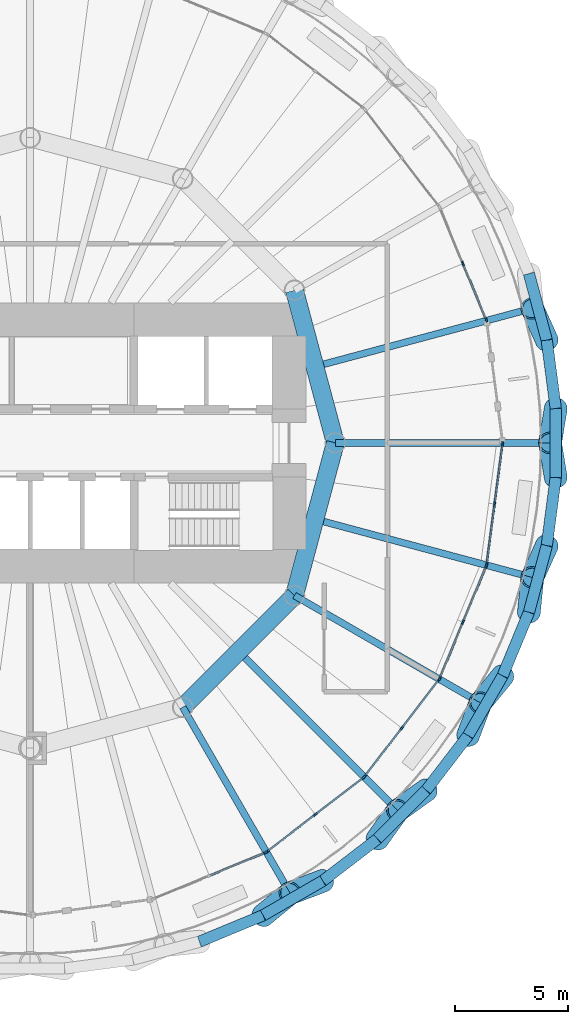
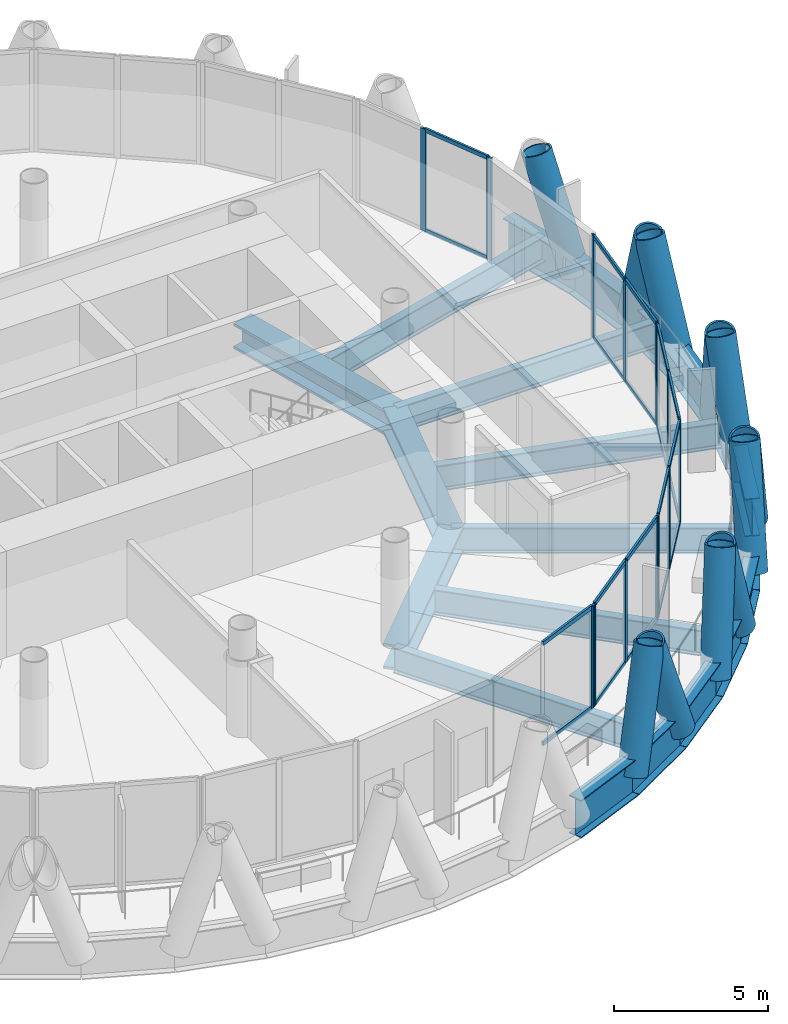
# One storey, part 4 of 14: 46 members, 21 beams, 6 elements without a shape of their own.
"""IFC4 building model written with IfcOpenShell, lengths in metres."""

from ifc_helpers import new_model, si_unit, direction, frame, origin, origin_2d, place, context, subcontext, project, spatial, rectangle, hollow_circle, i_section, extrude, material, material_profile, profile_set, type_object, element, aggregate, save


model = new_model("IFC4")

# Units and contexts
model_context = context("Model", 3, precision=1e-05, world=origin(), true_north=direction((0.0, 1.0)))
body_context = subcontext(model_context, "Body", "Model", "MODEL_VIEW")
ifc_project = project(units=[si_unit("LENGTHUNIT", "METRE"), si_unit("AREAUNIT", "SQUARE_METRE"), si_unit("VOLUMEUNIT", "CUBIC_METRE"), si_unit("PLANEANGLEUNIT", "RADIAN"), si_unit("MASSUNIT", "GRAM", prefix="KILO")], contexts=[model_context])

# Site, building, storey
site_placement = place(None, origin())
site = spatial("IfcSite", under=ifc_project, at=site_placement, CompositionType="ELEMENT")
building_placement = place(site_placement, origin())
building = spatial("IfcBuilding", under=site, at=building_placement, Name="Qaws Media Tower", CompositionType="ELEMENT")
storey_placement = place(building_placement, frame((0.0, 0.0, 206.60009765625)))
storey = spatial("IfcBuildingStorey", under=building, at=storey_placement, Name="L47", CompositionType="ELEMENT", Elevation=206.60009765625)

# Curtain wall, members
ifc_material_1 = material(Name="Aluminium and clear glass", Category="aluminium")
curtain_wall_type = type_object("IfcCurtainWallType", Name="Unitised curtain wall CW-C", PredefinedType="NOTDEFINED", material=ifc_material_1)
curtain_wall_1_placement = place(storey_placement, origin())
curtain_wall_1 = element("IfcCurtainWall", 1, at=curtain_wall_1_placement, inside=storey, type_object=curtain_wall_type, Name="CWC curtain wall L47-02", PredefinedType="NOTDEFINED")
ifc_material_2 = material(Name="Aluminium mullion", Category="aluminium")
ifc_material_profile_1 = material_profile(ifc_material_2, rectangle(XDim=0.080078125, YDim=0.199951171875, at=origin_2d()), Name="80x200")
ifc_profile_set_1 = profile_set([ifc_material_profile_1], Name="Aluminium mullion")
member_type_1 = type_object("IfcMemberType", Name="Curtain wall mullion 80x200", PredefinedType="MULLION", material=ifc_profile_set_1)
member_1_placement = place(storey_placement, frame((80.172607421875, 55.4462890625, 0.0), z_axis=(0.0, 0.0, 1.0), x_axis=(-0.92387952266, -0.382683456149, 0.0)))
member_1 = element("IfcMember", 2, at=member_1_placement, type_object=member_type_1, Name="CWC mullion 1", PredefinedType="MULLION", context=body_context, shape_type="SweptSolid", body=[
    extrude(rectangle(XDim=0.080078125, YDim=0.199951171875, at=origin_2d()), origin(), (0.0, 0.0, 1.0), 4.039794921875),
])
member_2_placement = place(storey_placement, frame((79.143798828125, 57.9296875, 0.0), z_axis=(0.0, 0.0, 1.0), x_axis=(-0.92387952266, -0.382683456149, 0.0)))
member_2 = element("IfcMember", 3, at=member_2_placement, type_object=member_type_1, Name="CWC mullion 2", PredefinedType="MULLION", context=body_context, shape_type="SweptSolid", body=[
    extrude(rectangle(XDim=0.080078125, YDim=0.199951171875, at=origin_2d()), origin(), (0.0, 0.0, 1.0), 4.039794921875),
])

# Curtain wall, member
curtain_wall_2_placement = place(storey_placement, origin())
curtain_wall_2 = element("IfcCurtainWall", 4, at=curtain_wall_2_placement, inside=storey, type_object=curtain_wall_type, Name="CWC curtain wall L47-20", PredefinedType="NOTDEFINED")
member_3_placement = place(storey_placement, frame((70.4130859375, 31.884765625, 0.0), z_axis=(0.0, 0.0, 1.0), x_axis=(-0.382683456149, 0.92387952266, 0.0)))
member_3 = element("IfcMember", 5, at=member_3_placement, type_object=member_type_1, Name="CWC mullion 3", PredefinedType="MULLION", context=body_context, shape_type="SweptSolid", body=[
    extrude(rectangle(XDim=0.080078125, YDim=0.199951171875, at=origin_2d()), origin(), (0.0, 0.0, 1.0), 4.039794921875),
])

# Curtain wall, members
curtain_wall_3_placement = place(storey_placement, origin())
curtain_wall_3 = element("IfcCurtainWall", 6, at=curtain_wall_3_placement, inside=storey, type_object=curtain_wall_type, Name="CWC curtain wall L47-21", PredefinedType="NOTDEFINED")
member_4_placement = place(storey_placement, frame((70.481689453125, 31.92431640625, 0.0), z_axis=(0.0, 0.0, 1.0), x_axis=(-0.608761380338, 0.793353377638, 0.0)))
member_4 = element("IfcMember", 7, at=member_4_placement, type_object=member_type_1, Name="CWC mullion 1", PredefinedType="MULLION", context=body_context, shape_type="SweptSolid", body=[
    extrude(rectangle(XDim=0.080078125, YDim=0.199951171875, at=origin_2d()), origin(), (0.0, 0.0, 1.0), 4.039794921875),
])
member_5_placement = place(storey_placement, frame((72.6142578125, 33.560791015625, 0.0), z_axis=(0.0, 0.0, 1.0), x_axis=(-0.608761380338, 0.793353377638, 0.0)))
member_5 = element("IfcMember", 8, at=member_5_placement, type_object=member_type_1, Name="CWC mullion 2", PredefinedType="MULLION", context=body_context, shape_type="SweptSolid", body=[
    extrude(rectangle(XDim=0.080078125, YDim=0.199951171875, at=origin_2d()), origin(), (0.0, 0.0, 1.0), 4.039794921875),
])
member_6_placement = place(storey_placement, frame((74.746826171875, 35.197021484375, 0.0), z_axis=(0.0, 0.0, 1.0), x_axis=(-0.608761380338, 0.793353377638, 0.0)))
member_6 = element("IfcMember", 9, at=member_6_placement, type_object=member_type_1, Name="CWC mullion 3", PredefinedType="MULLION", context=body_context, shape_type="SweptSolid", body=[
    extrude(rectangle(XDim=0.080078125, YDim=0.199951171875, at=origin_2d()), origin(), (0.0, 0.0, 1.0), 4.039794921875),
])

curtain_wall_4_placement = place(storey_placement, origin())
curtain_wall_4 = element("IfcCurtainWall", 10, at=curtain_wall_4_placement, inside=storey, type_object=curtain_wall_type, Name="CWC curtain wall L47-22", PredefinedType="NOTDEFINED")
member_7_placement = place(storey_placement, frame((74.802978515625, 35.253173828125, 0.0), z_axis=(0.0, 0.0, 1.0), x_axis=(-0.793353377638, 0.608761380338, 0.0)))
member_7 = element("IfcMember", 11, at=member_7_placement, type_object=member_type_1, Name="CWC mullion 1", PredefinedType="MULLION", context=body_context, shape_type="SweptSolid", body=[
    extrude(rectangle(XDim=0.080078125, YDim=0.199951171875, at=origin_2d()), origin(), (0.0, 0.0, 1.0), 4.039794921875),
])
member_8_placement = place(storey_placement, frame((76.439208984375, 37.3857421875, 0.0), z_axis=(0.0, 0.0, 1.0), x_axis=(-0.793353377638, 0.608761380338, 0.0)))
member_8 = element("IfcMember", 12, at=member_8_placement, type_object=member_type_1, Name="CWC mullion 2", PredefinedType="MULLION", context=body_context, shape_type="SweptSolid", body=[
    extrude(rectangle(XDim=0.080078125, YDim=0.199951171875, at=origin_2d()), origin(), (0.0, 0.0, 1.0), 4.039794921875),
])
member_9_placement = place(storey_placement, frame((78.07568359375, 39.518310546875, 0.0), z_axis=(0.0, 0.0, 1.0), x_axis=(-0.793353377638, 0.608761380338, 0.0)))
member_9 = element("IfcMember", 13, at=member_9_placement, type_object=member_type_1, Name="CWC mullion 3", PredefinedType="MULLION", context=body_context, shape_type="SweptSolid", body=[
    extrude(rectangle(XDim=0.080078125, YDim=0.199951171875, at=origin_2d()), origin(), (0.0, 0.0, 1.0), 4.039794921875),
])

curtain_wall_5_placement = place(storey_placement, origin())
curtain_wall_5 = element("IfcCurtainWall", 14, at=curtain_wall_5_placement, inside=storey, type_object=curtain_wall_type, Name="CWC curtain wall L47-23", PredefinedType="NOTDEFINED")
member_10_placement = place(storey_placement, frame((78.115234375, 39.5869140625, 0.0), z_axis=(0.0, 0.0, 1.0), x_axis=(-0.92387952266, 0.382683456149, 0.0)))
member_10 = element("IfcMember", 15, at=member_10_placement, type_object=member_type_1, Name="CWC mullion 1", PredefinedType="MULLION", context=body_context, shape_type="SweptSolid", body=[
    extrude(rectangle(XDim=0.080078125, YDim=0.199951171875, at=origin_2d()), origin(), (0.0, 0.0, 1.0), 4.039794921875),
])
member_11_placement = place(storey_placement, frame((79.143798828125, 42.0703125, 0.0), z_axis=(0.0, 0.0, 1.0), x_axis=(-0.92387952266, 0.382683456149, 0.0)))
member_11 = element("IfcMember", 16, at=member_11_placement, type_object=member_type_1, Name="CWC mullion 2", PredefinedType="MULLION", context=body_context, shape_type="SweptSolid", body=[
    extrude(rectangle(XDim=0.080078125, YDim=0.199951171875, at=origin_2d()), origin(), (0.0, 0.0, 1.0), 4.039794921875),
])
member_12_placement = place(storey_placement, frame((80.172607421875, 44.5537109375, 0.0), z_axis=(0.0, 0.0, 1.0), x_axis=(-0.92387952266, 0.382683456149, 0.0)))
member_12 = element("IfcMember", 17, at=member_12_placement, type_object=member_type_1, Name="CWC mullion 3", PredefinedType="MULLION", context=body_context, shape_type="SweptSolid", body=[
    extrude(rectangle(XDim=0.080078125, YDim=0.199951171875, at=origin_2d()), origin(), (0.0, 0.0, 1.0), 4.039794921875),
])

curtain_wall_6_placement = place(storey_placement, origin())
curtain_wall_6 = element("IfcCurtainWall", 18, at=curtain_wall_6_placement, inside=storey, type_object=curtain_wall_type, Name="CWC curtain wall L47-24", PredefinedType="NOTDEFINED")
member_13_placement = place(storey_placement, frame((80.193115234375, 44.63037109375, 0.0), z_axis=(0.0, 0.0, 1.0), x_axis=(-0.991444866709, 0.130526151694, 0.0)))
member_13 = element("IfcMember", 19, at=member_13_placement, type_object=member_type_1, Name="CWC mullion 1", PredefinedType="MULLION", context=body_context, shape_type="SweptSolid", body=[
    extrude(rectangle(XDim=0.080078125, YDim=0.199951171875, at=origin_2d()), origin(), (0.0, 0.0, 1.0), 4.039794921875),
])
member_14_placement = place(storey_placement, frame((80.5439453125, 47.29541015625, 0.0), z_axis=(0.0, 0.0, 1.0), x_axis=(-0.991444866709, 0.130526151694, 0.0)))
member_14 = element("IfcMember", 20, at=member_14_placement, type_object=member_type_1, Name="CWC mullion 2", PredefinedType="MULLION", context=body_context, shape_type="SweptSolid", body=[
    extrude(rectangle(XDim=0.080078125, YDim=0.199951171875, at=origin_2d()), origin(), (0.0, 0.0, 1.0), 4.039794921875),
])
member_15_placement = place(storey_placement, frame((80.894775390625, 49.96044921875, 0.0), z_axis=(0.0, 0.0, 1.0), x_axis=(-0.991444866709, 0.130526151694, 0.0)))
member_15 = element("IfcMember", 21, at=member_15_placement, type_object=member_type_1, Name="CWC mullion 3", PredefinedType="MULLION", context=body_context, shape_type="SweptSolid", body=[
    extrude(rectangle(XDim=0.080078125, YDim=0.199951171875, at=origin_2d()), origin(), (0.0, 0.0, 1.0), 4.039794921875),
])

# Member
ifc_material_3 = material(Name="Aluminium transom", Category="aluminium")
ifc_material_profile_2 = material_profile(ifc_material_3, rectangle(XDim=0.080078125, YDim=0.159912109375, at=origin_2d()), Name="80x160")
ifc_profile_set_2 = profile_set([ifc_material_profile_2], Name="Aluminium transom")
member_type_2 = type_object("IfcMemberType", Name="Curtain wall transom 80x160", PredefinedType="USERDEFINED", material=ifc_profile_set_2)
member_16_placement = place(storey_placement, frame((80.1572265625, 55.483154296875, 0.039794921875), z_axis=(-0.382660432893, 0.923889058869, 0.0), x_axis=(-0.923889058869, -0.382660432893, 0.0)))
member_16 = element("IfcMember", 22, at=member_16_placement, type_object=member_type_2, Name="CWC transom 1.1", ObjectType="TRANSOM", PredefinedType="USERDEFINED", context=body_context, shape_type="SweptSolid", body=[
    extrude(rectangle(XDim=0.080078125, YDim=0.159912109375, at=origin_2d()), origin(), (0.0, 0.0, 1.0), 2.608154296875),
])

member_17_placement = place(storey_placement, frame((80.1572265625, 55.483154296875, 4.0), z_axis=(-0.382660432893, 0.923889058869, 0.0), x_axis=(-0.923889058869, -0.382660432893, 0.0)))
member_17 = element("IfcMember", 23, at=member_17_placement, type_object=member_type_2, Name="CWC transom 1.2", ObjectType="TRANSOM", PredefinedType="USERDEFINED", context=body_context, shape_type="SweptSolid", body=[
    extrude(rectangle(XDim=0.080078125, YDim=0.159912109375, at=origin_2d()), origin(), (0.0, 0.0, 1.0), 2.608154296875),
])

aggregate(curtain_wall_1, [member_1, member_2, member_16, member_17])

member_18_placement = place(storey_placement, frame((67.966552734375, 30.871337890625, 0.039794921875), z_axis=(0.923875350489, 0.382693528503, 0.0), x_axis=(-0.382693528503, 0.923875350489, 0.0)))
member_18 = element("IfcMember", 24, at=member_18_placement, type_object=member_type_2, Name="CWC transom 2.1", ObjectType="TRANSOM", PredefinedType="USERDEFINED", context=body_context, shape_type="SweptSolid", body=[
    extrude(rectangle(XDim=0.080078125, YDim=0.159912109375, at=origin_2d()), origin(), (0.0, 0.0, 1.0), 2.60791015625),
])

member_19_placement = place(storey_placement, frame((67.966552734375, 30.871337890625, 4.0), z_axis=(0.923875350489, 0.382693528503, 0.0), x_axis=(-0.382693528503, 0.923875350489, 0.0)))
member_19 = element("IfcMember", 25, at=member_19_placement, type_object=member_type_2, Name="CWC transom 2.2", ObjectType="TRANSOM", PredefinedType="USERDEFINED", context=body_context, shape_type="SweptSolid", body=[
    extrude(rectangle(XDim=0.080078125, YDim=0.159912109375, at=origin_2d()), origin(), (0.0, 0.0, 1.0), 2.60791015625),
])

aggregate(curtain_wall_2, [member_3, member_18, member_19])

member_20_placement = place(storey_placement, frame((70.513427734375, 31.94873046875, 0.039794921875), z_axis=(0.793357690605, 0.608755759528, 0.0), x_axis=(-0.608755759528, 0.793357690605, 0.0)))
member_20 = element("IfcMember", 26, at=member_20_placement, type_object=member_type_2, Name="CWC transom 1.1", ObjectType="TRANSOM", PredefinedType="USERDEFINED", context=body_context, shape_type="SweptSolid", body=[
    extrude(rectangle(XDim=0.080078125, YDim=0.159912109375, at=origin_2d()), origin(), (0.0, 0.0, 1.0), 2.60791015625),
])

member_21_placement = place(storey_placement, frame((70.513427734375, 31.94873046875, 4.0), z_axis=(0.793357690605, 0.608755759528, 0.0), x_axis=(-0.608755759528, 0.793357690605, 0.0)))
member_21 = element("IfcMember", 27, at=member_21_placement, type_object=member_type_2, Name="CWC transom 1.2", ObjectType="TRANSOM", PredefinedType="USERDEFINED", context=body_context, shape_type="SweptSolid", body=[
    extrude(rectangle(XDim=0.080078125, YDim=0.159912109375, at=origin_2d()), origin(), (0.0, 0.0, 1.0), 2.60791015625),
])

member_22_placement = place(storey_placement, frame((72.64599609375, 33.585205078125, 0.039794921875), z_axis=(0.793357690605, 0.608755759528, 0.0), x_axis=(-0.608755759528, 0.793357690605, 0.0)))
member_22 = element("IfcMember", 28, at=member_22_placement, type_object=member_type_2, Name="CWC transom 2.1", ObjectType="TRANSOM", PredefinedType="USERDEFINED", context=body_context, shape_type="SweptSolid", body=[
    extrude(rectangle(XDim=0.080078125, YDim=0.159912109375, at=origin_2d()), origin(), (0.0, 0.0, 1.0), 2.60791015625),
])

member_23_placement = place(storey_placement, frame((72.64599609375, 33.585205078125, 4.0), z_axis=(0.793357690605, 0.608755759528, 0.0), x_axis=(-0.608755759528, 0.793357690605, 0.0)))
member_23 = element("IfcMember", 29, at=member_23_placement, type_object=member_type_2, Name="CWC transom 2.2", ObjectType="TRANSOM", PredefinedType="USERDEFINED", context=body_context, shape_type="SweptSolid", body=[
    extrude(rectangle(XDim=0.080078125, YDim=0.159912109375, at=origin_2d()), origin(), (0.0, 0.0, 1.0), 2.60791015625),
])

aggregate(curtain_wall_3, [member_4, member_5, member_6, member_20, member_21, member_22, member_23])

member_24_placement = place(storey_placement, frame((74.8271484375, 35.284912109375, 0.039794921875), z_axis=(0.608755759528, 0.793357690605, 0.0), x_axis=(-0.793357690605, 0.608755759528, 0.0)))
member_24 = element("IfcMember", 30, at=member_24_placement, type_object=member_type_2, Name="CWC transom 1.1", ObjectType="TRANSOM", PredefinedType="USERDEFINED", context=body_context, shape_type="SweptSolid", body=[
    extrude(rectangle(XDim=0.080078125, YDim=0.159912109375, at=origin_2d()), origin(), (0.0, 0.0, 1.0), 2.60791015625),
])

member_25_placement = place(storey_placement, frame((74.8271484375, 35.284912109375, 4.0), z_axis=(0.608755759528, 0.793357690605, 0.0), x_axis=(-0.793357690605, 0.608755759528, 0.0)))
member_25 = element("IfcMember", 31, at=member_25_placement, type_object=member_type_2, Name="CWC transom 1.2", ObjectType="TRANSOM", PredefinedType="USERDEFINED", context=body_context, shape_type="SweptSolid", body=[
    extrude(rectangle(XDim=0.080078125, YDim=0.159912109375, at=origin_2d()), origin(), (0.0, 0.0, 1.0), 2.60791015625),
])

member_26_placement = place(storey_placement, frame((76.463623046875, 37.41748046875, 0.039794921875), z_axis=(0.608755759528, 0.793357690605, 0.0), x_axis=(-0.793357690605, 0.608755759528, 0.0)))
member_26 = element("IfcMember", 32, at=member_26_placement, type_object=member_type_2, Name="CWC transom 2.1", ObjectType="TRANSOM", PredefinedType="USERDEFINED", context=body_context, shape_type="SweptSolid", body=[
    extrude(rectangle(XDim=0.080078125, YDim=0.159912109375, at=origin_2d()), origin(), (0.0, 0.0, 1.0), 2.60791015625),
])

member_27_placement = place(storey_placement, frame((76.463623046875, 37.41748046875, 4.0), z_axis=(0.608755759528, 0.793357690605, 0.0), x_axis=(-0.793357690605, 0.608755759528, 0.0)))
member_27 = element("IfcMember", 33, at=member_27_placement, type_object=member_type_2, Name="CWC transom 2.2", ObjectType="TRANSOM", PredefinedType="USERDEFINED", context=body_context, shape_type="SweptSolid", body=[
    extrude(rectangle(XDim=0.080078125, YDim=0.159912109375, at=origin_2d()), origin(), (0.0, 0.0, 1.0), 2.60791015625),
])

aggregate(curtain_wall_4, [member_7, member_8, member_9, member_24, member_25, member_26, member_27])

member_28_placement = place(storey_placement, frame((78.130615234375, 39.6240234375, 0.039794921875), z_axis=(0.382693528503, 0.923875350489, 0.0), x_axis=(-0.923875350489, 0.382693528503, 0.0)))
member_28 = element("IfcMember", 34, at=member_28_placement, type_object=member_type_2, Name="CWC transom 1.1", ObjectType="TRANSOM", PredefinedType="USERDEFINED", context=body_context, shape_type="SweptSolid", body=[
    extrude(rectangle(XDim=0.080078125, YDim=0.159912109375, at=origin_2d()), origin(), (0.0, 0.0, 1.0), 2.60791015625),
])

member_29_placement = place(storey_placement, frame((78.130615234375, 39.6240234375, 4.0), z_axis=(0.382693528503, 0.923875350489, 0.0), x_axis=(-0.923875350489, 0.382693528503, 0.0)))
member_29 = element("IfcMember", 35, at=member_29_placement, type_object=member_type_2, Name="CWC transom 1.2", ObjectType="TRANSOM", PredefinedType="USERDEFINED", context=body_context, shape_type="SweptSolid", body=[
    extrude(rectangle(XDim=0.080078125, YDim=0.159912109375, at=origin_2d()), origin(), (0.0, 0.0, 1.0), 2.60791015625),
])

member_30_placement = place(storey_placement, frame((79.1591796875, 42.107177734375, 0.039794921875), z_axis=(0.382660432893, 0.923889058869, 0.0), x_axis=(-0.923889058869, 0.382660432893, 0.0)))
member_30 = element("IfcMember", 36, at=member_30_placement, type_object=member_type_2, Name="CWC transom 2.1", ObjectType="TRANSOM", PredefinedType="USERDEFINED", context=body_context, shape_type="SweptSolid", body=[
    extrude(rectangle(XDim=0.080078125, YDim=0.159912109375, at=origin_2d()), origin(), (0.0, 0.0, 1.0), 2.608154296875),
])

member_31_placement = place(storey_placement, frame((79.1591796875, 42.107177734375, 4.0), z_axis=(0.382660432893, 0.923889058869, 0.0), x_axis=(-0.923889058869, 0.382660432893, 0.0)))
member_31 = element("IfcMember", 37, at=member_31_placement, type_object=member_type_2, Name="CWC transom 2.2", ObjectType="TRANSOM", PredefinedType="USERDEFINED", context=body_context, shape_type="SweptSolid", body=[
    extrude(rectangle(XDim=0.080078125, YDim=0.159912109375, at=origin_2d()), origin(), (0.0, 0.0, 1.0), 2.608154296875),
])

aggregate(curtain_wall_5, [member_10, member_11, member_12, member_28, member_29, member_30, member_31])

member_32_placement = place(storey_placement, frame((80.1982421875, 44.669921875, 0.039794921875), z_axis=(0.130587695544, 0.991436762367, 0.0), x_axis=(-0.991436762367, 0.130587695544, 0.0)))
member_32 = element("IfcMember", 38, at=member_32_placement, type_object=member_type_2, Name="CWC transom 1.1", ObjectType="TRANSOM", PredefinedType="USERDEFINED", context=body_context, shape_type="SweptSolid", body=[
    extrude(rectangle(XDim=0.080078125, YDim=0.159912109375, at=origin_2d()), origin(), (0.0, 0.0, 1.0), 2.60791015625),
])

member_33_placement = place(storey_placement, frame((80.1982421875, 44.669921875, 4.0), z_axis=(0.130587695544, 0.991436762367, 0.0), x_axis=(-0.991436762367, 0.130587695544, 0.0)))
member_33 = element("IfcMember", 39, at=member_33_placement, type_object=member_type_2, Name="CWC transom 1.2", ObjectType="TRANSOM", PredefinedType="USERDEFINED", context=body_context, shape_type="SweptSolid", body=[
    extrude(rectangle(XDim=0.080078125, YDim=0.159912109375, at=origin_2d()), origin(), (0.0, 0.0, 1.0), 2.60791015625),
])

member_34_placement = place(storey_placement, frame((80.549072265625, 47.3349609375, 0.039794921875), z_axis=(0.130587695544, 0.991436762367, 0.0), x_axis=(-0.991436762367, 0.130587695544, 0.0)))
member_34 = element("IfcMember", 40, at=member_34_placement, type_object=member_type_2, Name="CWC transom 2.1", ObjectType="TRANSOM", PredefinedType="USERDEFINED", context=body_context, shape_type="SweptSolid", body=[
    extrude(rectangle(XDim=0.080078125, YDim=0.159912109375, at=origin_2d()), origin(), (0.0, 0.0, 1.0), 2.60791015625),
])

member_35_placement = place(storey_placement, frame((80.549072265625, 47.3349609375, 4.0), z_axis=(0.130587695544, 0.991436762367, 0.0), x_axis=(-0.991436762367, 0.130587695544, 0.0)))
member_35 = element("IfcMember", 41, at=member_35_placement, type_object=member_type_2, Name="CWC transom 2.2", ObjectType="TRANSOM", PredefinedType="USERDEFINED", context=body_context, shape_type="SweptSolid", body=[
    extrude(rectangle(XDim=0.080078125, YDim=0.159912109375, at=origin_2d()), origin(), (0.0, 0.0, 1.0), 2.60791015625),
])

aggregate(curtain_wall_6, [member_13, member_14, member_15, member_32, member_33, member_34, member_35])

# Members
ifc_material_4 = material(Name="Steel S460", Category="steel")
ifc_material_profile_3 = material_profile(ifc_material_4, hollow_circle(Radius=0.508056640625, WallThickness=0.070068359375, at=origin_2d()), Name="CHS 1016x70")
ifc_profile_set_3 = profile_set([ifc_material_profile_3], Name="Steel S460")
member_type_3 = type_object("IfcMemberType", Name="Diagrid member CHS 1016x70", PredefinedType="USERDEFINED", material=ifc_profile_set_3)
for number, where, z_axis, x_axis, name in (
    (42, (82.852294921875, 54.545654296875, -0.91015625), (-0.142124356415, 0.314474007821, 0.938566335279), (-0.911257699186, -0.411836624979, 0.0), "DG3 diagrid L47 A01"),
    (43, (83.25, 51.52392578125, -0.91015625), (-0.055867575283, -0.340552153241, 0.938564353124), (0.986809454088, -0.161886075134, 0.0), "DG3 diagrid L47 B01"),
    (44, (70.305419921875, 29.102783203125, -0.91015625), (0.266955405454, 0.218671012683, 0.93857221337), (-0.633676776351, 0.77359792083, 0.0), "DG3 diagrid L47 A20"),
    (45, (75.36279296875, 32.482177734375, -0.91015625), (0.201266133248, 0.280321331697, 0.938569067572), (-0.812310289856, 0.583225507839, 0.0), "DG3 diagrid L47 A21"),
    (46, (72.94482421875, 30.626708984375, -0.91015625), (-0.322874178804, -0.121882547389, 0.938561084482), (0.353166911029, -0.935560331007, 0.0), "DG3 diagrid L47 B21"),
    (47, (79.373291015625, 37.05517578125, -0.91015625), (0.121882547389, 0.322874178804, 0.938561084482), (-0.935560331007, 0.353166911029, 0.0), "DG3 diagrid L47 A22"),
    (48, (77.517822265625, 34.63720703125, -0.91015625), (-0.280321331697, -0.201266133248, 0.938569067572), (0.583225507839, -0.812310289856, 0.0), "DG3 diagrid L47 B22"),
    (49, (82.0634765625, 42.510498046875, -0.91015625), (0.034153665458, 0.343391645998, 0.938571097251), (-0.99509027013, 0.098971482221, 0.0), "DG3 diagrid L47 A23"),
    (50, (80.897216796875, 39.694580078125, -0.91015625), (-0.218671012683, -0.266955405454, 0.93857221337), (0.77359792083, -0.633676776351, 0.0), "DG3 diagrid L47 B23"),
    (51, (83.25, 48.47607421875, -0.91015625), (-0.055867575283, 0.340552153241, 0.938564353124), (-0.986809454088, -0.161886075134, 0.0), "DG3 diagrid L47 A24"),
    (52, (82.852294921875, 45.454345703125, -0.91015625), (-0.142124356415, -0.314474007821, 0.938566335279), (0.911257699186, -0.411836624979, 0.0), "DG3 diagrid L47 B24"),
):
    element("IfcMember", number, at=place(storey_placement, frame(where, z_axis=z_axis, x_axis=x_axis)), inside=storey, type_object=member_type_3, Name=name, ObjectType="DIAGRID", PredefinedType="USERDEFINED", context=body_context, shape_type="SweptSolid", body=[
        extrude(hollow_circle(Radius=0.508056640625, WallThickness=0.070068359375, at=origin_2d()), origin(), (0.0, 0.0, 1.0), 4.474853515625),
    ])

# Beams
ifc_material_5 = material(Name="Steel S460", Category="steel")
ifc_material_profile_4 = material_profile(ifc_material_5, i_section(OverallWidth=0.5, OverallDepth=1.5, WebThickness=0.02001953125, FlangeThickness=0.0400390625, at=origin_2d()), Name="PG 1500x500")
ifc_profile_set_4 = profile_set([ifc_material_profile_4], Name="Steel S460")
beam_type_1 = type_object("IfcBeamType", Name="Edge ring beam PG 1500x500", PredefinedType="BEAM", material=ifc_profile_set_4)
beam_1_placement = place(storey_placement, frame((83.25, 51.52392578125, -0.91015625), z_axis=(-0.130489738706, 0.991449659888, 0.0), x_axis=(-0.991449659888, -0.130489738706, 0.0)))
element("IfcBeam", 53, at=beam_1_placement, inside=storey, type_object=beam_type_1, Name="RB4 edge ring beam L47-01", PredefinedType="BEAM", context=body_context, shape_type="SweptSolid", body=[
    extrude(i_section(OverallWidth=0.5, OverallDepth=1.5, WebThickness=0.02001953125, FlangeThickness=0.0400390625, at=origin_2d()), origin(), (0.0, 0.0, 1.0), 3.0478515625),
])
beam_2_placement = place(storey_placement, frame((82.852294921875, 54.545654296875, -0.91015625), z_axis=(-0.258824175106, 0.965924451694, 0.0), x_axis=(-0.965924451694, -0.258824175106, 0.0)))
element("IfcBeam", 54, at=beam_2_placement, inside=storey, type_object=beam_type_1, Name="RB4 edge ring beam L47-02", PredefinedType="BEAM", context=body_context, shape_type="SweptSolid", body=[
    extrude(i_section(OverallWidth=0.5, OverallDepth=1.5, WebThickness=0.02001953125, FlangeThickness=0.0400390625, at=origin_2d()), origin(), (0.0, 0.0, 1.0), 3.047607421875),
])
for number, where, z_axis, x_axis, name in (
    (55, (67.489501953125, 27.9365234375, -0.91015625), (0.923894802877, 0.382646564361, 0.0), (-0.382646564361, 0.923894802877, 0.0), "RB4 edge ring beam L47-39"),
    (56, (70.305419921875, 29.102783203125, -0.91015625), (0.866016168704, 0.500015995287, 0.0), (-0.500015995287, 0.866016168704, 0.0), "RB4 edge ring beam L47-40"),
    (57, (72.94482421875, 30.626708984375, -0.91015625), (0.793338116406, 0.608781268648, 0.0), (-0.608781268648, 0.793338116406, 0.0), "RB4 edge ring beam L47-41"),
):
    element("IfcBeam", number, at=place(storey_placement, frame(where, z_axis=z_axis, x_axis=x_axis)), inside=storey, type_object=beam_type_1, Name=name, PredefinedType="BEAM", context=body_context, shape_type="SweptSolid", body=[
        extrude(i_section(OverallWidth=0.5, OverallDepth=1.5, WebThickness=0.02001953125, FlangeThickness=0.0400390625, at=origin_2d()), origin(), (0.0, 0.0, 1.0), 3.0478515625),
    ])
beam_3_placement = place(storey_placement, frame((75.36279296875, 32.482177734375, -0.91015625), z_axis=(0.707106781187, 0.707106781187, 0.0), x_axis=(-0.707106781187, 0.707106781187, 0.0)))
element("IfcBeam", 58, at=beam_3_placement, inside=storey, type_object=beam_type_1, Name="RB4 edge ring beam L47-42", PredefinedType="BEAM", context=body_context, shape_type="SweptSolid", body=[
    extrude(i_section(OverallWidth=0.5, OverallDepth=1.5, WebThickness=0.02001953125, FlangeThickness=0.0400390625, at=origin_2d()), origin(), (0.0, 0.0, 1.0), 3.047607421875),
])
for number, where, z_axis, x_axis, name in (
    (59, (77.517822265625, 34.63720703125, -0.91015625), (0.608781268648, 0.793338116406, 0.0), (-0.793338116406, 0.608781268648, 0.0), "RB4 edge ring beam L47-43"),
    (60, (79.373291015625, 37.05517578125, -0.91015625), (0.500015995287, 0.866016168704, 0.0), (-0.866016168704, 0.500015995287, 0.0), "RB4 edge ring beam L47-44"),
    (61, (80.897216796875, 39.694580078125, -0.91015625), (0.382646564361, 0.923894802877, 0.0), (-0.923894802877, 0.382646564361, 0.0), "RB4 edge ring beam L47-45"),
):
    element("IfcBeam", number, at=place(storey_placement, frame(where, z_axis=z_axis, x_axis=x_axis)), inside=storey, type_object=beam_type_1, Name=name, PredefinedType="BEAM", context=body_context, shape_type="SweptSolid", body=[
        extrude(i_section(OverallWidth=0.5, OverallDepth=1.5, WebThickness=0.02001953125, FlangeThickness=0.0400390625, at=origin_2d()), origin(), (0.0, 0.0, 1.0), 3.0478515625),
    ])
beam_4_placement = place(storey_placement, frame((82.0634765625, 42.510498046875, -0.91015625), z_axis=(0.258824175106, 0.965924451694, 0.0), x_axis=(-0.965924451694, 0.258824175106, 0.0)))
element("IfcBeam", 62, at=beam_4_placement, inside=storey, type_object=beam_type_1, Name="RB4 edge ring beam L47-46", PredefinedType="BEAM", context=body_context, shape_type="SweptSolid", body=[
    extrude(i_section(OverallWidth=0.5, OverallDepth=1.5, WebThickness=0.02001953125, FlangeThickness=0.0400390625, at=origin_2d()), origin(), (0.0, 0.0, 1.0), 3.047607421875),
])
for number, where, z_axis, x_axis, name in (
    (63, (82.852294921875, 45.454345703125, -0.91015625), (0.130489738706, 0.991449659888, 0.0), (-0.991449659888, 0.130489738706, 0.0), "RB4 edge ring beam L47-47"),
    (64, (83.25, 48.47607421875, -0.91015625), (0.0, 1.0, 0.0), (-1.0, 0.0, 0.0), "RB4 edge ring beam L47-48"),
):
    element("IfcBeam", number, at=place(storey_placement, frame(where, z_axis=z_axis, x_axis=x_axis)), inside=storey, type_object=beam_type_1, Name=name, PredefinedType="BEAM", context=body_context, shape_type="SweptSolid", body=[
        extrude(i_section(OverallWidth=0.5, OverallDepth=1.5, WebThickness=0.02001953125, FlangeThickness=0.0400390625, at=origin_2d()), origin(), (0.0, 0.0, 1.0), 3.0478515625),
    ])
ifc_material_6 = material(Name="Steel S460", Category="steel")
ifc_material_profile_5 = material_profile(ifc_material_6, i_section(OverallWidth=0.800048828125, OverallDepth=1.0, WebThickness=0.0400390625, FlangeThickness=0.10009765625, at=origin_2d()), Name="PG 1000x800")
ifc_profile_set_5 = profile_set([ifc_material_profile_5], Name="Steel S460")
beam_type_2 = type_object("IfcBeamType", Name="Inner ring girder PG 1000x800", PredefinedType="BEAM", material=ifc_profile_set_5)
beam_5_placement = place(storey_placement, frame((73.5, 50.0, -0.66015625), z_axis=(-0.258810593767, 0.965928090778, 0.0), x_axis=(-0.965928090778, -0.258810593767, 0.0)))
element("IfcBeam", 65, at=beam_5_placement, inside=storey, type_object=beam_type_2, Name="B3 inner ring beam L47 I01-I02", PredefinedType="BEAM", context=body_context, shape_type="SweptSolid", body=[
    extrude(i_section(OverallWidth=0.800048828125, OverallDepth=1.0, WebThickness=0.0400390625, FlangeThickness=0.10009765625, at=origin_2d()), origin(), (0.0, 0.0, 1.0), 6.988037109375),
])
beam_6_placement = place(storey_placement, frame((66.75, 38.30859375, -0.66015625), z_axis=(0.707106781187, 0.707106781187, 0.0), x_axis=(-0.707106781187, 0.707106781187, 0.0)))
element("IfcBeam", 66, at=beam_6_placement, inside=storey, type_object=beam_type_2, Name="B3 inner ring beam L47 I11-I12", PredefinedType="BEAM", context=body_context, shape_type="SweptSolid", body=[
    extrude(i_section(OverallWidth=0.800048828125, OverallDepth=1.0, WebThickness=0.0400390625, FlangeThickness=0.10009765625, at=origin_2d()), origin(), (0.0, 0.0, 1.0), 6.98828125),
])
beam_7_placement = place(storey_placement, frame((71.69140625, 43.25, -0.66015625), z_axis=(0.258810593767, 0.965928090778, 0.0), x_axis=(-0.965928090778, 0.258810593767, 0.0)))
element("IfcBeam", 67, at=beam_7_placement, inside=storey, type_object=beam_type_2, Name="B3 inner ring beam L47 I12-I01", PredefinedType="BEAM", context=body_context, shape_type="SweptSolid", body=[
    extrude(i_section(OverallWidth=0.800048828125, OverallDepth=1.0, WebThickness=0.0400390625, FlangeThickness=0.10009765625, at=origin_2d()), origin(), (0.0, 0.0, 1.0), 6.988037109375),
])
ifc_material_7 = material(Name="Steel S355", Category="steel")
ifc_material_profile_6 = material_profile(ifc_material_7, i_section(OverallWidth=0.302001953125, OverallDepth=1.008056640625, WebThickness=0.02099609375, FlangeThickness=0.0400390625, FilletRadius=0.030029296875, at=origin_2d()), Name="HE 1000 M")
ifc_profile_set_6 = profile_set([ifc_material_profile_6], Name="Steel S355")
beam_type_3 = type_object("IfcBeamType", Name="Radial beam HE 1000 M", PredefinedType="BEAM", material=ifc_profile_set_6)
beam_8_placement = place(storey_placement, frame((73.5, 50.0, -0.6640625), z_axis=(1.0, 0.0, 0.0), x_axis=(0.0, 1.0, 0.0)))
element("IfcBeam", 68, at=beam_8_placement, inside=storey, type_object=beam_type_3, Name="B1 radial beam L47 01", PredefinedType="BEAM", context=body_context, shape_type="SweptSolid", body=[
    extrude(i_section(OverallWidth=0.302001953125, OverallDepth=1.008056640625, WebThickness=0.02099609375, FlangeThickness=0.0400390625, FilletRadius=0.030029296875, at=origin_2d()), origin(), (0.0, 0.0, 1.0), 9.75),
])
beam_9_placement = place(storey_placement, frame((72.98193359375, 53.478515625, -0.6640625), z_axis=(0.965925278817, 0.258821088287, 0.0), x_axis=(-0.258821088287, 0.965925278817, 0.0)))
element("IfcBeam", 69, at=beam_9_placement, inside=storey, type_object=beam_type_3, Name="B1 radial beam L47 02", PredefinedType="BEAM", context=body_context, shape_type="SweptSolid", body=[
    extrude(i_section(OverallWidth=0.302001953125, OverallDepth=1.008056640625, WebThickness=0.02099609375, FlangeThickness=0.0400390625, FilletRadius=0.030029296875, at=origin_2d()), origin(), (0.0, 0.0, 1.0), 9.81005859375),
])
beam_10_placement = place(storey_placement, frame((66.75, 38.30859375, -0.6640625), z_axis=(0.499995560238, -0.866027967067, 0.0), x_axis=(0.866027967067, 0.499995560238, 0.0)))
element("IfcBeam", 70, at=beam_10_placement, inside=storey, type_object=beam_type_3, Name="B1 radial beam L47 21", PredefinedType="BEAM", context=body_context, shape_type="SweptSolid", body=[
    extrude(i_section(OverallWidth=0.302001953125, OverallDepth=1.008056640625, WebThickness=0.02099609375, FlangeThickness=0.0400390625, FilletRadius=0.030029296875, at=origin_2d()), origin(), (0.0, 0.0, 1.0), 9.75),
])
beam_11_placement = place(storey_placement, frame((69.50341796875, 40.49658203125, -0.6640625), z_axis=(0.707106781187, -0.707106781187, 0.0), x_axis=(0.707106781187, 0.707106781187, 0.0)))
element("IfcBeam", 71, at=beam_11_placement, inside=storey, type_object=beam_type_3, Name="B1 radial beam L47 22", PredefinedType="BEAM", context=body_context, shape_type="SweptSolid", body=[
    extrude(i_section(OverallWidth=0.302001953125, OverallDepth=1.008056640625, WebThickness=0.02099609375, FlangeThickness=0.0400390625, FilletRadius=0.030029296875, at=origin_2d()), origin(), (0.0, 0.0, 1.0), 9.810302734375),
])
beam_12_placement = place(storey_placement, frame((71.69140625, 43.25, -0.6640625), z_axis=(0.866027967067, -0.499995560238, 0.0), x_axis=(0.499995560238, 0.866027967067, 0.0)))
element("IfcBeam", 72, at=beam_12_placement, inside=storey, type_object=beam_type_3, Name="B1 radial beam L47 23", PredefinedType="BEAM", context=body_context, shape_type="SweptSolid", body=[
    extrude(i_section(OverallWidth=0.302001953125, OverallDepth=1.008056640625, WebThickness=0.02099609375, FlangeThickness=0.0400390625, FilletRadius=0.030029296875, at=origin_2d()), origin(), (0.0, 0.0, 1.0), 9.75),
])
beam_13_placement = place(storey_placement, frame((72.98193359375, 46.521484375, -0.6640625), z_axis=(0.965925278817, -0.258821088287, 0.0), x_axis=(0.258821088287, 0.965925278817, 0.0)))
element("IfcBeam", 73, at=beam_13_placement, inside=storey, type_object=beam_type_3, Name="B1 radial beam L47 24", PredefinedType="BEAM", context=body_context, shape_type="SweptSolid", body=[
    extrude(i_section(OverallWidth=0.302001953125, OverallDepth=1.008056640625, WebThickness=0.02099609375, FlangeThickness=0.0400390625, FilletRadius=0.030029296875, at=origin_2d()), origin(), (0.0, 0.0, 1.0), 9.81005859375),
])

save(model, "model.ifc")
